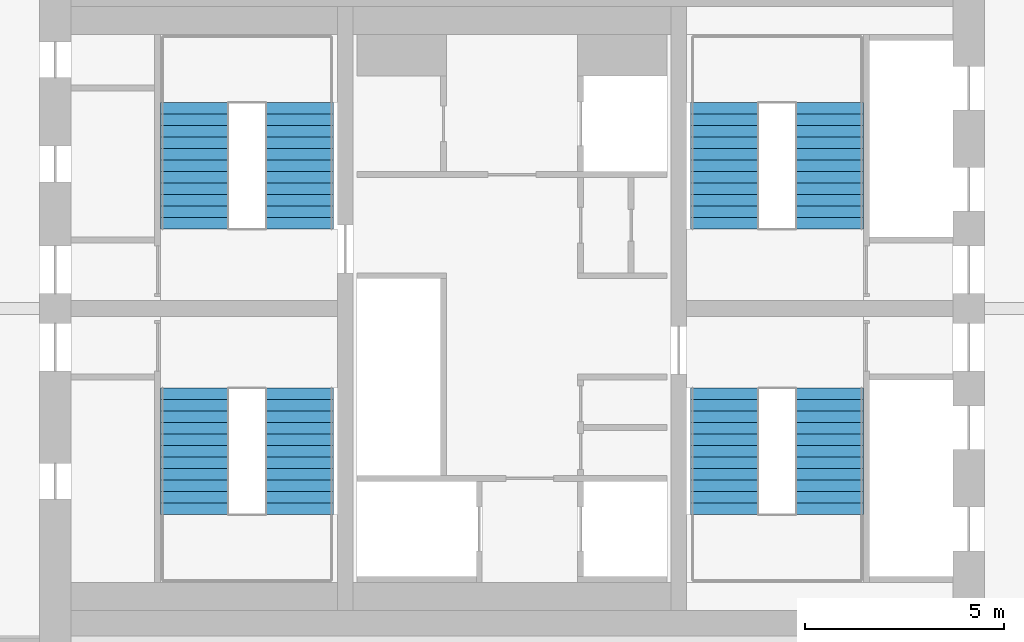
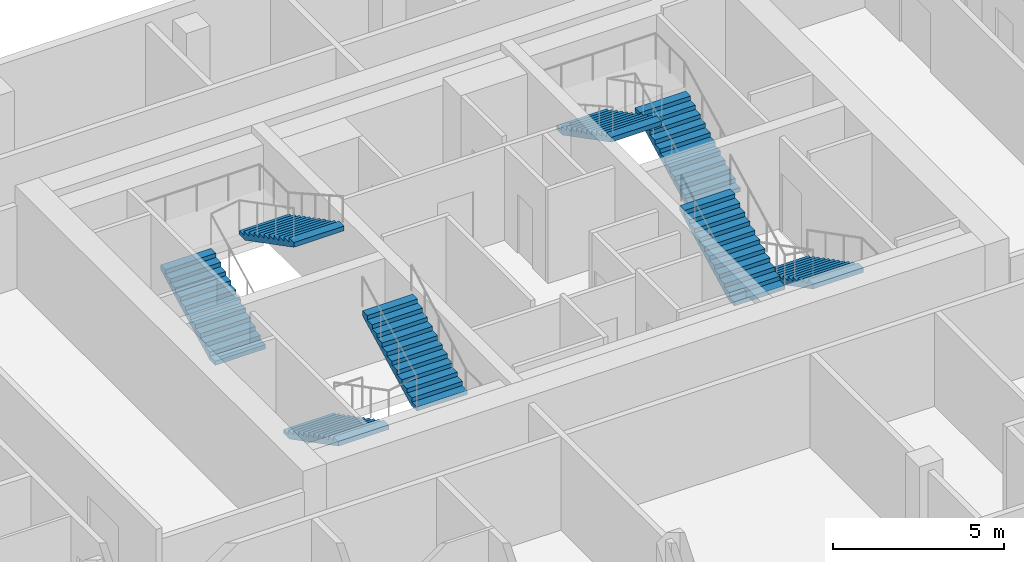
# One storey, part 21 of 22: 8 stair flights, 4 elements without a shape of their own.
"""IFC4 building model written with IfcOpenShell, lengths in metres."""

import ifcopenshell
import ifcopenshell.guid

model = None  # the IFC model being written
_history = None  # IfcOwnerHistory: only IFC2X3 demands one
_inside = {}  # id of a spatial element -> (the spatial element, [elements in it])
_under = {}  # id of a project, library or spatial element -> (it, [spatial elements below it])
_declared = {}  # id of a project -> (the project, [libraries it declares])
_typed = {}  # id of a type object -> (the type object, [elements of that type])
_made_of = {}  # id of a material, layer set ... -> (it, [elements and type objects made of it])


def new_model(schema):
    """Start an empty IFC model of exactly this schema.

    Asked for "IFC4X3", IfcOpenShell would pick the latest addendum, in which some entities
    have other attributes; the version numbers below select the first issue.
    IFC2X3 requires an IfcOwnerHistory on every rooted entity: one is made here for all.
    """
    global model, _history
    if schema == "IFC4X3":
        model = ifcopenshell.file(schema_version=(4, 3, 0, 0))
    else:
        model = ifcopenshell.file(schema=schema)
    _inside.clear()
    _under.clear()
    _declared.clear()
    _typed.clear()
    _made_of.clear()
    _history = None
    if model.schema == "IFC2X3":
        org = make("IfcOrganization", Name="unknown")
        user = make(
            "IfcPersonAndOrganization",
            ThePerson=make("IfcPerson", FamilyName="unknown"),
            TheOrganization=org,
        )
        app = make(
            "IfcApplication",
            ApplicationDeveloper=org,
            Version="unknown",
            ApplicationFullName="unknown",
            ApplicationIdentifier="unknown",
        )
        _history = make(
            "IfcOwnerHistory",
            OwningUser=user,
            OwningApplication=app,
            ChangeAction="ADDED",
            CreationDate=0,
        )
    return model


def make(cls, **values):
    """One entity of the class cls with the attributes given. An attribute that is None is left unset."""
    return model.create_entity(
        cls, **{name: value for name, value in values.items() if value is not None}
    )


def rooted(cls, **values):
    """An entity with a GlobalId (a new one), such as an element, a storey or a relation."""
    return make(cls, GlobalId=ifcopenshell.guid.new(), OwnerHistory=_history, **values)


def si_unit(unit_type, name, prefix=None):
    """IfcSIUnit, for example si_unit("LENGTHUNIT", "METRE", prefix="MILLI")."""
    return make("IfcSIUnit", UnitType=unit_type, Prefix=prefix, Name=name)


def assignment(units):
    """IfcUnitAssignment: the units of a project."""
    return None if units is None else make("IfcUnitAssignment", Units=units)


def point(xyz):
    """IfcCartesianPoint."""
    return None if xyz is None else make("IfcCartesianPoint", Coordinates=xyz)


def direction(xyz):
    """IfcDirection."""
    return None if xyz is None else make("IfcDirection", DirectionRatios=xyz)


def frame(location, z_axis=None, x_axis=None):
    """IfcAxis2Placement3D, a coordinate frame: its origin and axes. An axis left out is left unset."""
    return make(
        "IfcAxis2Placement3D",
        Location=point(location),
        Axis=direction(z_axis),
        RefDirection=direction(x_axis),
    )


def origin():
    """The frame at (0, 0, 0) with its axes left unset."""
    return frame((0.0, 0.0, 0.0))


def place(relative_to, where):
    """IfcLocalPlacement: puts the frame where relative to a parent placement (None: the world)."""
    return make(
        "IfcLocalPlacement", PlacementRelTo=relative_to, RelativePlacement=where
    )


def context(
    kind, dimensions, precision=None, world=None, true_north=None, identifier=None
):
    """IfcGeometricRepresentationContext, for example the 3D "Model" context."""
    return make(
        "IfcGeometricRepresentationContext",
        ContextIdentifier=identifier,
        ContextType=kind,
        CoordinateSpaceDimension=dimensions,
        Precision=precision,
        WorldCoordinateSystem=world,
        TrueNorth=true_north,
    )


def subcontext(parent, identifier, kind, view, scale=None):
    """IfcGeometricRepresentationSubContext, for example "Body" below "Model"."""
    return make(
        "IfcGeometricRepresentationSubContext",
        ContextIdentifier=identifier,
        ContextType=kind,
        ParentContext=parent,
        TargetScale=scale,
        TargetView=view,
    )


def project(units=None, contexts=None):
    """IfcProject with its units and contexts."""
    return rooted(
        "IfcProject",
        Name="project",
        RepresentationContexts=contexts,
        UnitsInContext=assignment(units),
    )


def spatial(cls, under=None, at=None, **own):
    """A site, building, storey or space (cls), placed at a placement, below another one or the project."""
    s = rooted(cls, ObjectPlacement=at, **own)
    if under is not None:
        _under.setdefault(under.id(), (under, []))[1].append(s)
    return s


def polyline(points):
    """IfcPolyline through the points."""
    return make("IfcPolyline", Points=[point(p) for p in points])


def outline(outer, holes=None, kind="AREA"):
    """IfcArbitraryClosedProfileDef: a profile drawn as a closed curve; with holes, ...WithVoids."""
    if holes is None:
        return make("IfcArbitraryClosedProfileDef", ProfileType=kind, OuterCurve=outer)
    return make(
        "IfcArbitraryProfileDefWithVoids",
        ProfileType=kind,
        OuterCurve=outer,
        InnerCurves=holes,
    )


def extrude(swept, where, along, depth):
    """IfcExtrudedAreaSolid: the profile swept, set in the frame where, extruded along a direction by depth."""
    return make(
        "IfcExtrudedAreaSolid",
        SweptArea=swept,
        Position=where,
        ExtrudedDirection=direction(along),
        Depth=depth,
    )


def shape(context_of_items, identifier, shape_type, items):
    """IfcShapeRepresentation: the items that make up one representation, for example the "Body"."""
    return make(
        "IfcShapeRepresentation",
        ContextOfItems=context_of_items,
        RepresentationIdentifier=identifier,
        RepresentationType=shape_type,
        Items=items,
    )


def material(Name=None, Category=None):
    """IfcMaterial."""
    return make("IfcMaterial", Name=Name, Category=Category)


def made_of(thing, what):
    """Note that an element or type object is made of a material, layer set ...; save() writes the relation."""
    if what is not None:
        _made_of.setdefault(what.id(), (what, []))[1].append(thing)
    return thing


def type_object(cls, material=None, **own):
    """A type object (cls), such as IfcWallType, which elements share."""
    return made_of(rooted(cls, **own), material)


def element(
    cls,
    number,
    at=None,
    inside=None,
    cuts=None,
    type_object=None,
    material=None,
    context=None,
    identifier="Body",
    shape_type=None,
    held_by="IfcProductDefinitionShape",
    body=None,
    shapes=None,
    **own,
):
    """One element of the class cls, such as IfcWall. Its Tag is "e" and its number.

    at: its placement. inside: the storey or other place that contains it. cuts: it is an
    opening in that element (IfcRelVoidsElement). A single representation is given by context,
    identifier, shape_type and body (its items); several are given by shapes. held_by: the class
    of the entity that holds the representations. save() writes the other relations.
    """
    e = rooted(cls, Tag="e%d" % number, ObjectPlacement=at, **own)
    if body is not None:
        shapes = [shape(context, identifier, shape_type, body)]
    if shapes is not None:
        e.Representation = make(held_by, Representations=shapes)
    if inside is not None:
        _inside.setdefault(inside.id(), (inside, []))[1].append(e)
    if cuts is not None:
        rooted(
            "IfcRelVoidsElement", RelatingBuildingElement=cuts, RelatedOpeningElement=e
        )
    if type_object is not None:
        _typed.setdefault(type_object.id(), (type_object, []))[1].append(e)
    return made_of(e, material)


def aggregate(whole, parts):
    """IfcRelAggregates: a whole, such as a stair, and the parts it consists of."""
    return rooted("IfcRelAggregates", RelatingObject=whole, RelatedObjects=parts)


def save(model, path):
    """Write the relations noted so far, then the file.

    IfcRelAggregates (storeys below a building ...), IfcRelContainedInSpatialStructure (elements
    in a storey), IfcRelDefinesByType, IfcRelAssociatesMaterial and IfcRelDeclares: one each for
    every whole, place, type object, material and project.
    """
    for whole, parts in _under.values():
        aggregate(whole, parts)
    for where, things in _inside.values():
        rooted(
            "IfcRelContainedInSpatialStructure",
            RelatedElements=things,
            RelatingStructure=where,
        )
    for kind, things in _typed.values():
        rooted("IfcRelDefinesByType", RelatedObjects=things, RelatingType=kind)
    for what, things in _made_of.values():
        rooted("IfcRelAssociatesMaterial", RelatedObjects=things, RelatingMaterial=what)
    for by, libraries in _declared.values():
        rooted("IfcRelDeclares", RelatingContext=by, RelatedDefinitions=libraries)
    model.write(path)


model = new_model("IFC4")

# Units and contexts
model_context = context("Model", 3, precision=1e-05, world=origin(), true_north=direction((0.0, 1.0)))
body_context = subcontext(model_context, "Body", "Model", "MODEL_VIEW")
ifc_project = project(units=[si_unit("LENGTHUNIT", "METRE"), si_unit("AREAUNIT", "SQUARE_METRE"), si_unit("VOLUMEUNIT", "CUBIC_METRE"), si_unit("PLANEANGLEUNIT", "RADIAN"), si_unit("MASSUNIT", "GRAM", prefix="KILO")], contexts=[model_context])

# Site, building, storey
site_placement = place(None, origin())
site = spatial("IfcSite", under=ifc_project, at=site_placement, CompositionType="ELEMENT")
building_placement = place(site_placement, origin())
building = spatial("IfcBuilding", under=site, at=building_placement, Name="Marenta Gate Hotel Tower", CompositionType="ELEMENT")
storey_placement = place(building_placement, frame((0.0, 0.0, 230.89990234375)))
storey = spatial("IfcBuildingStorey", under=building, at=storey_placement, Name="L54", CompositionType="ELEMENT", Elevation=230.89990234375)

# Stair, stair flights
ifc_material_1 = material(Name="Concrete C40", Category="concrete")
stair_type = type_object("IfcStairType", Name="Core exit stair 1700 wide", PredefinedType="HALF_TURN_STAIR", material=ifc_material_1)
stair_1_placement = place(storey_placement, origin())
stair_1 = element("IfcStair", 1, at=stair_1_placement, inside=storey, type_object=stair_type, Name="Exit stair 1", PredefinedType="HALF_TURN_STAIR")
ifc_material_2 = material(Name="Concrete C40", Category="concrete")
stair_flight_type = type_object("IfcStairFlightType", Name="Core stair flight 1700 riser 150.0 going 290", PredefinedType="STRAIGHT", material=ifc_material_2)
stair_flight_1_placement = place(storey_placement, frame((-8.0, 6.39990234375, 0.0), z_axis=(0.0, 0.0, 1.0), x_axis=(0.0, -1.0, 0.0)))
stair_flight_1 = element("IfcStairFlight", 2, at=stair_flight_1_placement, type_object=stair_flight_type, Name="ST1 flight 1", NumberOfRisers=12, NumberOfTreads=11, PredefinedType="STRAIGHT", RiserHeight=0.15, TreadLength=0.29, context=body_context, shape_type="SweptSolid", body=[
    extrude(outline(polyline([(0.0, 0.0), (0.0, 0.14990234375), (0.2900390625, 0.14990234375), (0.2900390625, 0.300048828125), (0.580078125, 0.300048828125), (0.580078125, 0.449951171875), (0.8701171875, 0.449951171875), (0.8701171875, 0.60009765625), (1.159912109375, 0.60009765625), (1.159912109375, 0.75), (1.449951171875, 0.75), (1.449951171875, 0.89990234375), (1.739990234375, 0.89990234375), (1.739990234375, 1.050048828125), (2.030029296875, 1.050048828125), (2.030029296875, 1.199951171875), (2.320068359375, 1.199951171875), (2.320068359375, 1.35009765625), (2.610107421875, 1.35009765625), (2.610107421875, 1.5), (2.89990234375, 1.5), (2.89990234375, 1.64990234375), (3.18994140625, 1.64990234375), (3.18994140625, 1.800048828125), (3.18994140625, 1.481201171875), (0.326171875, 0.0), (0.0, 0.0)])), frame((0.0, 0.85009765625, 0.0), z_axis=(0.0, -1.0, 0.0), x_axis=(1.0, 0.0, 0.0)), (0.0, 0.0, 1.0), 1.699951171875),
])
stair_flight_2_placement = place(storey_placement, frame((-5.35009765625, 3.2099609375, 1.800048828125), z_axis=(0.0, 0.0, 1.0), x_axis=(0.0, 1.0, 0.0)))
stair_flight_2 = element("IfcStairFlight", 3, at=stair_flight_2_placement, type_object=stair_flight_type, Name="ST1 flight 2", NumberOfRisers=12, NumberOfTreads=11, PredefinedType="STRAIGHT", RiserHeight=0.15, TreadLength=0.29, context=body_context, shape_type="SweptSolid", body=[
    extrude(outline(polyline([(0.0, 0.0), (0.0, 0.14990234375), (0.2900390625, 0.14990234375), (0.2900390625, 0.300048828125), (0.580078125, 0.300048828125), (0.580078125, 0.449951171875), (0.8701171875, 0.449951171875), (0.8701171875, 0.60009765625), (1.159912109375, 0.60009765625), (1.159912109375, 0.75), (1.449951171875, 0.75), (1.449951171875, 0.89990234375), (1.739990234375, 0.89990234375), (1.739990234375, 1.050048828125), (2.030029296875, 1.050048828125), (2.030029296875, 1.199951171875), (2.320068359375, 1.199951171875), (2.320068359375, 1.35009765625), (2.610107421875, 1.35009765625), (2.610107421875, 1.5), (2.89990234375, 1.5), (2.89990234375, 1.64990234375), (3.18994140625, 1.64990234375), (3.18994140625, 1.800048828125), (3.18994140625, 1.481201171875), (0.326171875, 0.0), (0.0, 0.0)])), frame((0.0, 0.85009765625, 0.0), z_axis=(0.0, -1.0, 0.0), x_axis=(1.0, 0.0, 0.0)), (0.0, 0.0, 1.0), 1.699951171875),
])
aggregate(stair_1, [stair_flight_1, stair_flight_2])

stair_2_placement = place(storey_placement, origin())
stair_2 = element("IfcStair", 4, at=stair_2_placement, inside=storey, type_object=stair_type, Name="Exit stair 2", PredefinedType="HALF_TURN_STAIR")
stair_flight_3_placement = place(storey_placement, frame((-8.0, 10.39990234375, 0.0), z_axis=(0.0, 0.0, 1.0), x_axis=(0.0, 1.0, 0.0)))
stair_flight_3 = element("IfcStairFlight", 5, at=stair_flight_3_placement, type_object=stair_flight_type, Name="ST2 flight 1", NumberOfRisers=12, NumberOfTreads=11, PredefinedType="STRAIGHT", RiserHeight=0.15, TreadLength=0.29, context=body_context, shape_type="SweptSolid", body=[
    extrude(outline(polyline([(0.0, 0.0), (0.0, 0.14990234375), (0.2900390625, 0.14990234375), (0.2900390625, 0.300048828125), (0.580078125, 0.300048828125), (0.580078125, 0.449951171875), (0.8701171875, 0.449951171875), (0.8701171875, 0.60009765625), (1.159912109375, 0.60009765625), (1.159912109375, 0.75), (1.449951171875, 0.75), (1.449951171875, 0.89990234375), (1.739990234375, 0.89990234375), (1.739990234375, 1.050048828125), (2.030029296875, 1.050048828125), (2.030029296875, 1.199951171875), (2.320068359375, 1.199951171875), (2.320068359375, 1.35009765625), (2.610107421875, 1.35009765625), (2.610107421875, 1.5), (2.89990234375, 1.5), (2.89990234375, 1.64990234375), (3.18994140625, 1.64990234375), (3.18994140625, 1.800048828125), (3.18994140625, 1.481201171875), (0.326171875, 0.0), (0.0, 0.0)])), frame((0.0, 0.85009765625, 0.0), z_axis=(0.0, -1.0, 0.0), x_axis=(1.0, 0.0, 0.0)), (0.0, 0.0, 1.0), 1.699951171875),
])
stair_flight_4_placement = place(storey_placement, frame((-5.35009765625, 13.590087890625, 1.800048828125), z_axis=(0.0, 0.0, 1.0), x_axis=(0.0, -1.0, 0.0)))
stair_flight_4 = element("IfcStairFlight", 6, at=stair_flight_4_placement, type_object=stair_flight_type, Name="ST2 flight 2", NumberOfRisers=12, NumberOfTreads=11, PredefinedType="STRAIGHT", RiserHeight=0.15, TreadLength=0.29, context=body_context, shape_type="SweptSolid", body=[
    extrude(outline(polyline([(0.0, 0.0), (0.0, 0.14990234375), (0.2900390625, 0.14990234375), (0.2900390625, 0.300048828125), (0.580078125, 0.300048828125), (0.580078125, 0.449951171875), (0.8701171875, 0.449951171875), (0.8701171875, 0.60009765625), (1.159912109375, 0.60009765625), (1.159912109375, 0.75), (1.449951171875, 0.75), (1.449951171875, 0.89990234375), (1.739990234375, 0.89990234375), (1.739990234375, 1.050048828125), (2.030029296875, 1.050048828125), (2.030029296875, 1.199951171875), (2.320068359375, 1.199951171875), (2.320068359375, 1.35009765625), (2.610107421875, 1.35009765625), (2.610107421875, 1.5), (2.89990234375, 1.5), (2.89990234375, 1.64990234375), (3.18994140625, 1.64990234375), (3.18994140625, 1.800048828125), (3.18994140625, 1.481201171875), (0.326171875, 0.0), (0.0, 0.0)])), frame((0.0, 0.85009765625, 0.0), z_axis=(0.0, -1.0, 0.0), x_axis=(1.0, 0.0, 0.0)), (0.0, 0.0, 1.0), 1.699951171875),
])
aggregate(stair_2, [stair_flight_3, stair_flight_4])

stair_3_placement = place(storey_placement, origin())
stair_3 = element("IfcStair", 7, at=stair_3_placement, inside=storey, type_object=stair_type, Name="Exit stair 3", PredefinedType="HALF_TURN_STAIR")
stair_flight_5_placement = place(storey_placement, frame((8.0, 6.39990234375, 0.0), z_axis=(0.0, 0.0, 1.0), x_axis=(0.0, -1.0, 0.0)))
stair_flight_5 = element("IfcStairFlight", 8, at=stair_flight_5_placement, type_object=stair_flight_type, Name="ST3 flight 1", NumberOfRisers=12, NumberOfTreads=11, PredefinedType="STRAIGHT", RiserHeight=0.15, TreadLength=0.29, context=body_context, shape_type="SweptSolid", body=[
    extrude(outline(polyline([(0.0, 0.0), (0.0, 0.14990234375), (0.2900390625, 0.14990234375), (0.2900390625, 0.300048828125), (0.580078125, 0.300048828125), (0.580078125, 0.449951171875), (0.8701171875, 0.449951171875), (0.8701171875, 0.60009765625), (1.159912109375, 0.60009765625), (1.159912109375, 0.75), (1.449951171875, 0.75), (1.449951171875, 0.89990234375), (1.739990234375, 0.89990234375), (1.739990234375, 1.050048828125), (2.030029296875, 1.050048828125), (2.030029296875, 1.199951171875), (2.320068359375, 1.199951171875), (2.320068359375, 1.35009765625), (2.610107421875, 1.35009765625), (2.610107421875, 1.5), (2.89990234375, 1.5), (2.89990234375, 1.64990234375), (3.18994140625, 1.64990234375), (3.18994140625, 1.800048828125), (3.18994140625, 1.481201171875), (0.326171875, 0.0), (0.0, 0.0)])), frame((0.0, 0.85009765625, 0.0), z_axis=(0.0, -1.0, 0.0), x_axis=(1.0, 0.0, 0.0)), (0.0, 0.0, 1.0), 1.699951171875),
])
stair_flight_6_placement = place(storey_placement, frame((5.35009765625, 3.2099609375, 1.800048828125), z_axis=(0.0, 0.0, 1.0), x_axis=(0.0, 1.0, 0.0)))
stair_flight_6 = element("IfcStairFlight", 9, at=stair_flight_6_placement, type_object=stair_flight_type, Name="ST3 flight 2", NumberOfRisers=12, NumberOfTreads=11, PredefinedType="STRAIGHT", RiserHeight=0.15, TreadLength=0.29, context=body_context, shape_type="SweptSolid", body=[
    extrude(outline(polyline([(0.0, 0.0), (0.0, 0.14990234375), (0.2900390625, 0.14990234375), (0.2900390625, 0.300048828125), (0.580078125, 0.300048828125), (0.580078125, 0.449951171875), (0.8701171875, 0.449951171875), (0.8701171875, 0.60009765625), (1.159912109375, 0.60009765625), (1.159912109375, 0.75), (1.449951171875, 0.75), (1.449951171875, 0.89990234375), (1.739990234375, 0.89990234375), (1.739990234375, 1.050048828125), (2.030029296875, 1.050048828125), (2.030029296875, 1.199951171875), (2.320068359375, 1.199951171875), (2.320068359375, 1.35009765625), (2.610107421875, 1.35009765625), (2.610107421875, 1.5), (2.89990234375, 1.5), (2.89990234375, 1.64990234375), (3.18994140625, 1.64990234375), (3.18994140625, 1.800048828125), (3.18994140625, 1.481201171875), (0.326171875, 0.0), (0.0, 0.0)])), frame((0.0, 0.85009765625, 0.0), z_axis=(0.0, -1.0, 0.0), x_axis=(1.0, 0.0, 0.0)), (0.0, 0.0, 1.0), 1.699951171875),
])
aggregate(stair_3, [stair_flight_5, stair_flight_6])

stair_4_placement = place(storey_placement, origin())
stair_4 = element("IfcStair", 10, at=stair_4_placement, inside=storey, type_object=stair_type, Name="Exit stair 4", PredefinedType="HALF_TURN_STAIR")
stair_flight_7_placement = place(storey_placement, frame((8.0, 10.39990234375, 0.0), z_axis=(0.0, 0.0, 1.0), x_axis=(0.0, 1.0, 0.0)))
stair_flight_7 = element("IfcStairFlight", 11, at=stair_flight_7_placement, type_object=stair_flight_type, Name="ST4 flight 1", NumberOfRisers=12, NumberOfTreads=11, PredefinedType="STRAIGHT", RiserHeight=0.15, TreadLength=0.29, context=body_context, shape_type="SweptSolid", body=[
    extrude(outline(polyline([(0.0, 0.0), (0.0, 0.14990234375), (0.2900390625, 0.14990234375), (0.2900390625, 0.300048828125), (0.580078125, 0.300048828125), (0.580078125, 0.449951171875), (0.8701171875, 0.449951171875), (0.8701171875, 0.60009765625), (1.159912109375, 0.60009765625), (1.159912109375, 0.75), (1.449951171875, 0.75), (1.449951171875, 0.89990234375), (1.739990234375, 0.89990234375), (1.739990234375, 1.050048828125), (2.030029296875, 1.050048828125), (2.030029296875, 1.199951171875), (2.320068359375, 1.199951171875), (2.320068359375, 1.35009765625), (2.610107421875, 1.35009765625), (2.610107421875, 1.5), (2.89990234375, 1.5), (2.89990234375, 1.64990234375), (3.18994140625, 1.64990234375), (3.18994140625, 1.800048828125), (3.18994140625, 1.481201171875), (0.326171875, 0.0), (0.0, 0.0)])), frame((0.0, 0.85009765625, 0.0), z_axis=(0.0, -1.0, 0.0), x_axis=(1.0, 0.0, 0.0)), (0.0, 0.0, 1.0), 1.699951171875),
])
stair_flight_8_placement = place(storey_placement, frame((5.35009765625, 13.590087890625, 1.800048828125), z_axis=(0.0, 0.0, 1.0), x_axis=(0.0, -1.0, 0.0)))
stair_flight_8 = element("IfcStairFlight", 12, at=stair_flight_8_placement, type_object=stair_flight_type, Name="ST4 flight 2", NumberOfRisers=12, NumberOfTreads=11, PredefinedType="STRAIGHT", RiserHeight=0.15, TreadLength=0.29, context=body_context, shape_type="SweptSolid", body=[
    extrude(outline(polyline([(0.0, 0.0), (0.0, 0.14990234375), (0.2900390625, 0.14990234375), (0.2900390625, 0.300048828125), (0.580078125, 0.300048828125), (0.580078125, 0.449951171875), (0.8701171875, 0.449951171875), (0.8701171875, 0.60009765625), (1.159912109375, 0.60009765625), (1.159912109375, 0.75), (1.449951171875, 0.75), (1.449951171875, 0.89990234375), (1.739990234375, 0.89990234375), (1.739990234375, 1.050048828125), (2.030029296875, 1.050048828125), (2.030029296875, 1.199951171875), (2.320068359375, 1.199951171875), (2.320068359375, 1.35009765625), (2.610107421875, 1.35009765625), (2.610107421875, 1.5), (2.89990234375, 1.5), (2.89990234375, 1.64990234375), (3.18994140625, 1.64990234375), (3.18994140625, 1.800048828125), (3.18994140625, 1.481201171875), (0.326171875, 0.0), (0.0, 0.0)])), frame((0.0, 0.85009765625, 0.0), z_axis=(0.0, -1.0, 0.0), x_axis=(1.0, 0.0, 0.0)), (0.0, 0.0, 1.0), 1.699951171875),
])
aggregate(stair_4, [stair_flight_7, stair_flight_8])

save(model, "model.ifc")
